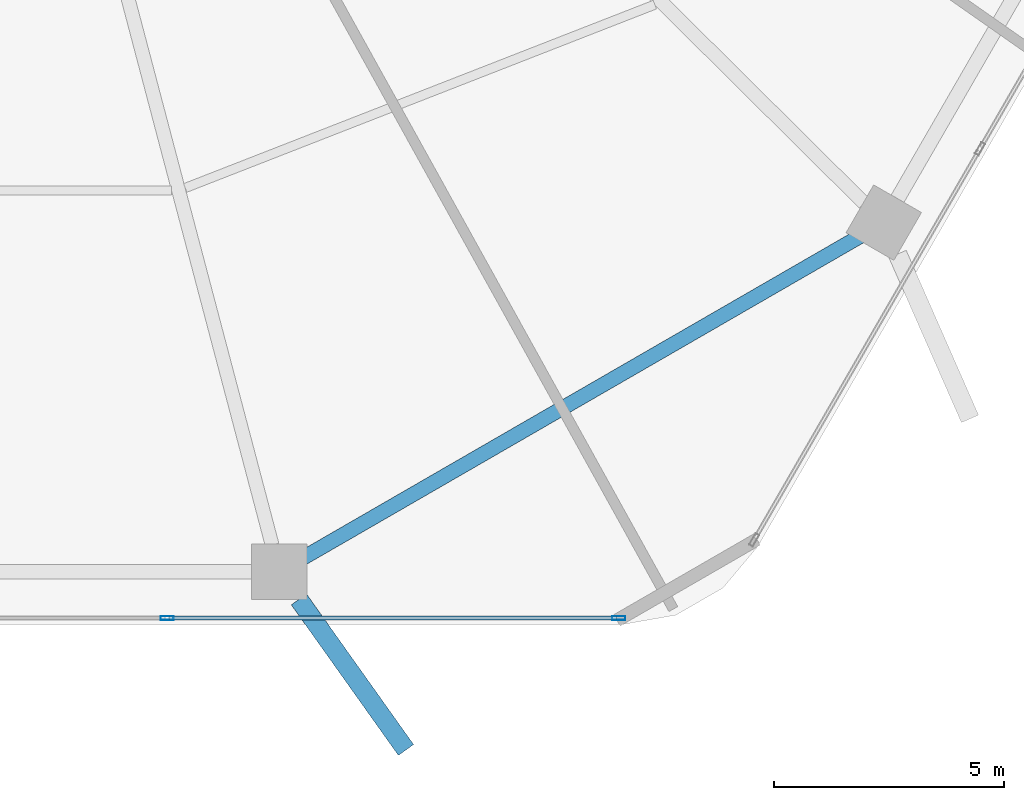
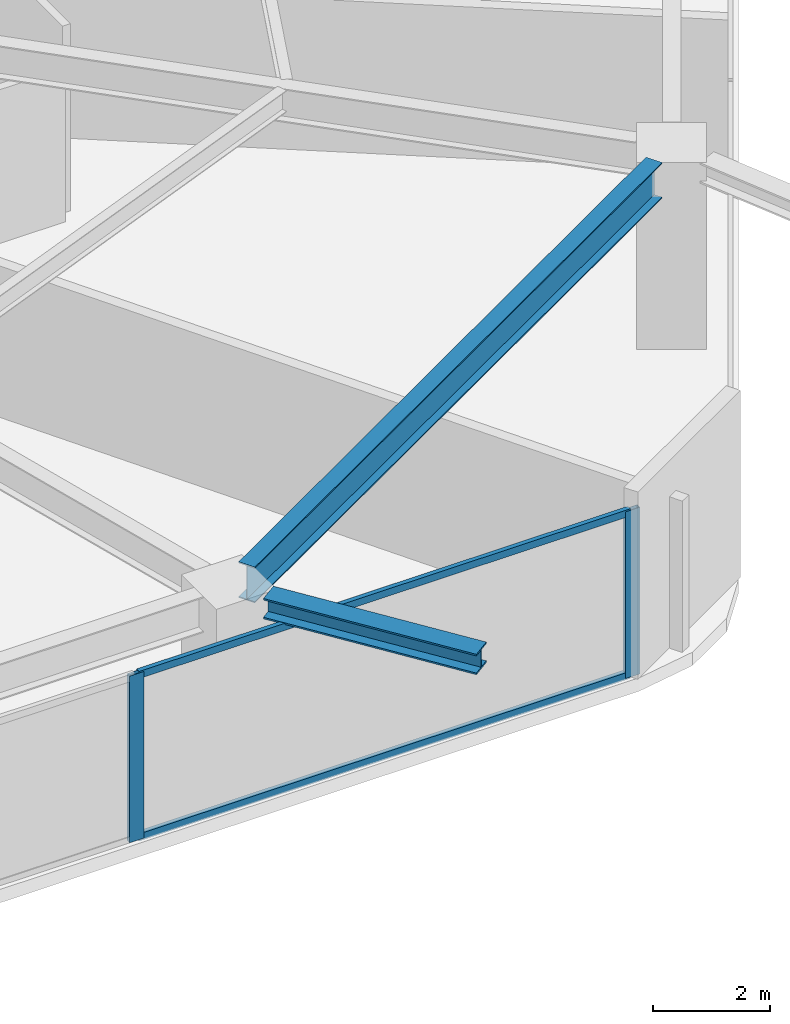
# One storey, part 7 of 25: 4 members, 2 beams, 1 element without a shape of its own.
"""IFC4 building model written with IfcOpenShell, lengths in metres."""

from ifc_helpers import new_model, si_unit, direction, frame, origin, origin_2d, place, context, subcontext, project, spatial, hollow_rectangle, i_section, extrude, material, material_profile, profile_set, type_object, element, aggregate, save


model = new_model("IFC4")

# Units and contexts
model_context = context("Model", 3, precision=1e-05, world=origin(), true_north=direction((0.0, 1.0)))
body_context = subcontext(model_context, "Body", "Model", "MODEL_VIEW")
ifc_project = project(units=[si_unit("LENGTHUNIT", "METRE"), si_unit("AREAUNIT", "SQUARE_METRE"), si_unit("VOLUMEUNIT", "CUBIC_METRE"), si_unit("PLANEANGLEUNIT", "RADIAN"), si_unit("MASSUNIT", "GRAM", prefix="KILO")], contexts=[model_context])

# Site, building, storey
site_placement = place(None, origin())
site = spatial("IfcSite", under=ifc_project, at=site_placement, CompositionType="ELEMENT")
building_placement = place(site_placement, origin())
building = spatial("IfcBuilding", under=site, at=building_placement, Name="Zuhravey Tower", CompositionType="ELEMENT")
storey_placement = place(building_placement, frame((0.0, 0.0, 37.199951171875)))
storey = spatial("IfcBuildingStorey", under=building, at=storey_placement, Name="L09", CompositionType="ELEMENT", Elevation=37.199951171875)

# Curtain wall, members
ifc_material_1 = material(Name="Thermally broken anodised aluminium", Category="aluminium")
curtain_wall_type = type_object("IfcCurtainWallType", Name="School Low-E Unitised Curtain Wall CW1", PredefinedType="NOTDEFINED", material=ifc_material_1)
curtain_wall_placement = place(storey_placement, origin())
curtain_wall = element("IfcCurtainWall", 1, at=curtain_wall_placement, inside=storey, type_object=curtain_wall_type, Name="L09 CW1 CW-L09-F5-1", PredefinedType="NOTDEFINED")
ifc_material_2 = material(Name="Anodised aluminium", Category="aluminium")
ifc_material_profile_1 = material_profile(ifc_material_2, hollow_rectangle(XDim=0.090087890625, YDim=0.284912109375, WallThickness=0.0048828125, at=origin_2d()), Name="ALU-RHS-90x285x5")
ifc_profile_set_1 = profile_set([ifc_material_profile_1], Name="Anodised aluminium")
member_type_1 = type_object("IfcMemberType", Name="Curtain-Wall Mullion 90x180", PredefinedType="MULLION", material=ifc_profile_set_1)
member_1_placement = place(storey_placement, frame((50.75439453125, 3.04150390625, 0.0), z_axis=(0.0, 0.0, 1.0), x_axis=(0.0, -1.0, 0.0)))
member_1 = element("IfcMember", 2, at=member_1_placement, type_object=member_type_1, Name="CW1 mullion 1", PredefinedType="MULLION", context=body_context, shape_type="SweptSolid", body=[
    extrude(hollow_rectangle(XDim=0.090087890625, YDim=0.284912109375, WallThickness=0.0048828125, at=origin_2d()), origin(), (0.0, 0.0, 1.0), 3.491943359375),
])
member_2_placement = place(storey_placement, frame((40.93310546875, 3.04150390625, 0.0), z_axis=(0.0, 0.0, 1.0), x_axis=(0.0, -1.0, 0.0)))
member_2 = element("IfcMember", 3, at=member_2_placement, type_object=member_type_1, Name="CW1 mullion 2", PredefinedType="MULLION", context=body_context, shape_type="SweptSolid", body=[
    extrude(hollow_rectangle(XDim=0.090087890625, YDim=0.284912109375, WallThickness=0.0048828125, at=origin_2d()), origin(), (0.0, 0.0, 1.0), 3.491943359375),
])
ifc_material_profile_2 = material_profile(ifc_material_2, hollow_rectangle(XDim=0.090087890625, YDim=0.14990234375, WallThickness=0.0048828125, at=origin_2d()), Name="ALU-RHS-90x150x5")
ifc_profile_set_2 = profile_set([ifc_material_profile_2], Name="Anodised aluminium")
member_type_2 = type_object("IfcMemberType", Name="Curtain-Wall Transom 90x150", PredefinedType="USERDEFINED", material=ifc_profile_set_2)
member_3_placement = place(storey_placement, frame((50.70947265625, 3.04150390625, 0.045166015625), z_axis=(-1.0, 0.0, 0.0), x_axis=(0.0, -1.0, 0.0)))
member_3 = element("IfcMember", 4, at=member_3_placement, type_object=member_type_2, Name="CW1 transom 1.1", ObjectType="TRANSOM", PredefinedType="USERDEFINED", context=body_context, shape_type="SweptSolid", body=[
    extrude(hollow_rectangle(XDim=0.090087890625, YDim=0.14990234375, WallThickness=0.0048828125, at=origin_2d()), origin(), (0.0, 0.0, 1.0), 9.731201171875),
])
member_4_placement = place(storey_placement, frame((50.70947265625, 3.04150390625, 3.447021484375), z_axis=(-1.0, 0.0, 0.0), x_axis=(0.0, -1.0, 0.0)))
member_4 = element("IfcMember", 5, at=member_4_placement, type_object=member_type_2, Name="CW1 transom 1.2", ObjectType="TRANSOM", PredefinedType="USERDEFINED", context=body_context, shape_type="SweptSolid", body=[
    extrude(hollow_rectangle(XDim=0.090087890625, YDim=0.14990234375, WallThickness=0.0048828125, at=origin_2d()), origin(), (0.0, 0.0, 1.0), 9.731201171875),
])
aggregate(curtain_wall, [member_1, member_2, member_3, member_4])

# Beams
ifc_material_3 = material(Name="Steel SM460", Category="steel")
ifc_material_profile_3 = material_profile(ifc_material_3, i_section(OverallWidth=0.406982421875, OverallDepth=0.427978515625, WebThickness=0.02001953125, FlangeThickness=0.034912109375, at=origin_2d()), Name="H-428x407x20x35")
ifc_profile_set_3 = profile_set([ifc_material_profile_3], Name="Steel SM460")
beam_type_1 = type_object("IfcBeamType", Name="Exoskeleton Node Tie Beam H428x407", PredefinedType="BEAM", material=ifc_profile_set_3)
beam_1_placement = place(storey_placement, frame((43.799072265625, 3.4482421875, 3.7060546875), z_axis=(0.579627800936, -0.814881348653, 0.0), x_axis=(0.814881348653, 0.579627800936, 0.0)))
element("IfcBeam", 6, at=beam_1_placement, inside=storey, type_object=beam_type_1, Name="L09 Exoskeleton Node Tie NT1-10", PredefinedType="BEAM", context=body_context, shape_type="SweptSolid", body=[
    extrude(i_section(OverallWidth=0.406982421875, OverallDepth=0.427978515625, WebThickness=0.02001953125, FlangeThickness=0.034912109375, at=origin_2d()), origin(), (0.0, 0.0, 1.0), 4.018310546875),
])
ifc_material_4 = material(Name="Steel SM355", Category="steel")
ifc_material_profile_4 = material_profile(ifc_material_4, i_section(OverallWidth=0.320068359375, OverallDepth=0.75, WebThickness=0.013916015625, FlangeThickness=0.02490234375, at=origin_2d()), Name="H-750x320x14x25")
ifc_profile_set_4 = profile_set([ifc_material_profile_4], Name="Steel SM355")
beam_type_2 = type_object("IfcBeamType", Name="Perimeter Ring Beam H750x320", PredefinedType="BEAM", material=ifc_profile_set_4)
beam_2_placement = place(storey_placement, frame((43.89208984375, 4.35302734375, 3.545166015625), z_axis=(0.866029969761, 0.499992091414, 0.0), x_axis=(-0.499992091414, 0.866029969761, 0.0)))
element("IfcBeam", 7, at=beam_2_placement, inside=storey, type_object=beam_type_2, Name="L09 PB1 BM-L09-PB-10", PredefinedType="BEAM", context=body_context, shape_type="SweptSolid", body=[
    extrude(i_section(OverallWidth=0.320068359375, OverallDepth=0.75, WebThickness=0.013916015625, FlangeThickness=0.02490234375, at=origin_2d()), origin(), (0.0, 0.0, 1.0), 13.977294921875),
])

save(model, "model.ifc")
